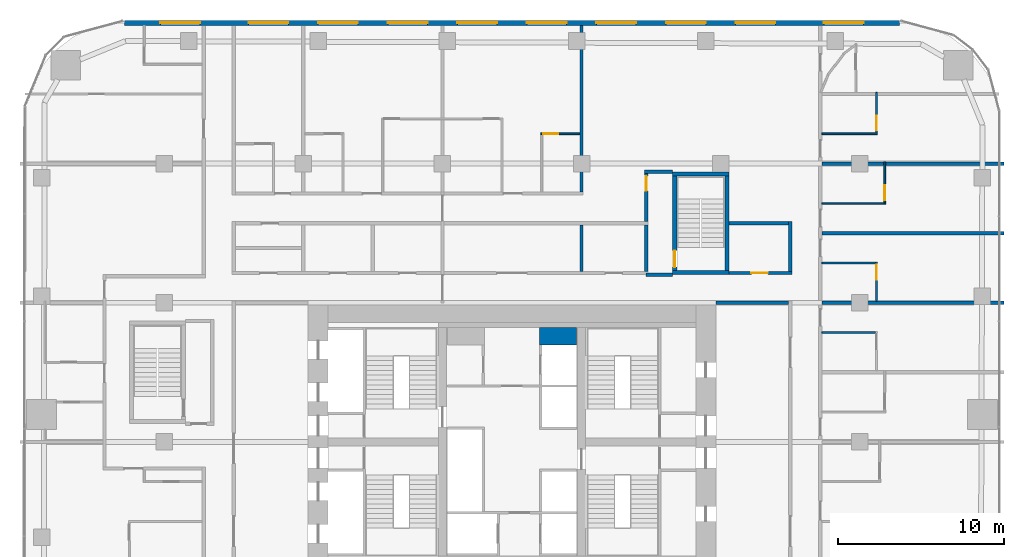
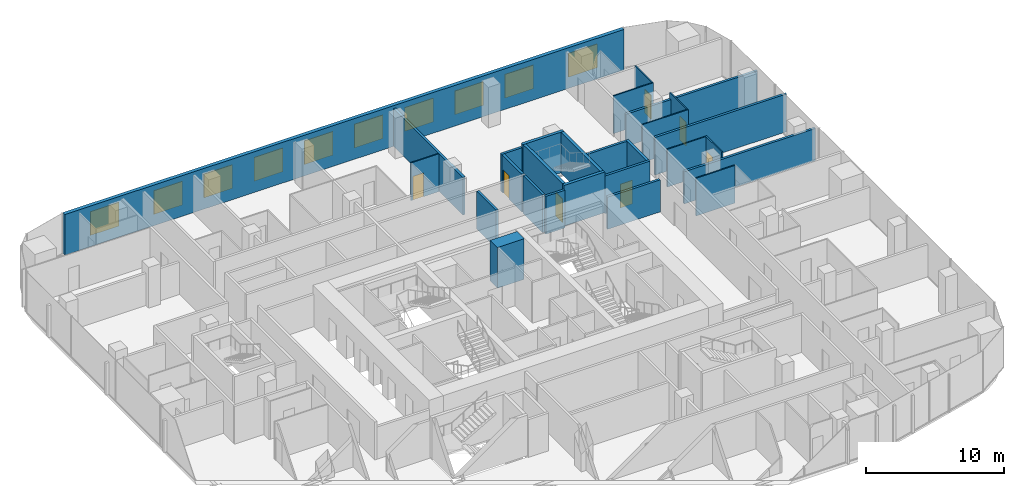
# One storey, part 22 of 25: 27 walls, 10 windows, 7 doors, 17 openings.
"""IFC4 building model written with IfcOpenShell, lengths in metres."""

from ifc_helpers import new_model, si_unit, direction, frame, frame_2d, origin, place, context, subcontext, project, spatial, rectangle, extrude, material, layer, layer_set, type_object, element, fill, save


model = new_model("IFC4")

# Units and contexts
model_context = context("Model", 3, precision=1e-05, world=origin(), true_north=direction((0.0, 1.0)))
body_context = subcontext(model_context, "Body", "Model", "MODEL_VIEW")
ifc_project = project(units=[si_unit("LENGTHUNIT", "METRE"), si_unit("AREAUNIT", "SQUARE_METRE"), si_unit("VOLUMEUNIT", "CUBIC_METRE"), si_unit("PLANEANGLEUNIT", "RADIAN"), si_unit("MASSUNIT", "GRAM", prefix="KILO")], contexts=[model_context])

# Site, building, storey
site_placement = place(None, origin())
site = spatial("IfcSite", under=ifc_project, at=site_placement, CompositionType="ELEMENT")
building_placement = place(site_placement, origin())
building = spatial("IfcBuilding", under=site, at=building_placement, Name="Marenta Gate Hotel Tower", CompositionType="ELEMENT")
storey_placement = place(building_placement, frame((0.0, 0.0, 50.89990234375)))
storey = spatial("IfcBuildingStorey", under=building, at=storey_placement, Name="L10", CompositionType="ELEMENT", Elevation=50.89990234375)

# Wall, openings, windows
ifc_material_1 = material(Name="Concrete C40 board-marked", Category="concrete")
ifc_layer_1 = layer(ifc_material_1, 0.300048828125)
ifc_layer_set_1 = layer_set([ifc_layer_1], Name="Concrete C40 board-marked")
wall_type_1 = type_object("IfcWallType", Name="Board-marked concrete wall 300 mm", PredefinedType="NOTDEFINED", material=ifc_layer_set_1)
wall_1_placement = place(storey_placement, frame((23.406005859375, 33.68994140625, 0.0), z_axis=(0.0, 0.0, 1.0), x_axis=(-1.0, 0.0, 0.0)))
wall_1 = element("IfcWall", 1, at=wall_1_placement, inside=storey, type_object=wall_type_1, Name="L10-CLD-N00", PredefinedType="NOTDEFINED", context=body_context, shape_type="SweptSolid", body=[
    extrude(rectangle(XDim=46.81201171875, YDim=0.300048828125, at=frame_2d((23.406005859375, 0.0))), origin(), (0.0, 0.0, 1.0), 3.60009765625),
])
opening_1_placement = place(wall_1_placement, frame((2.185791015625, 0.0, 0.89990234375)))
opening_1 = element("IfcOpeningElement", 2, at=opening_1_placement, cuts=wall_1, Name="Opening W1", PredefinedType="OPENING", context=body_context, shape_type="SweptSolid", body=[
    extrude(rectangle(XDim=2.39990234375, YDim=2.10009765625, at=frame_2d((1.199951171875, 1.050048828125))), frame((0.0, 0.14990234375, 0.0), z_axis=(0.0, -1.0, 0.0), x_axis=(1.0, 0.0, 0.0)), (0.0, 0.0, 1.0), 0.300048828125),
])
opening_2_placement = place(wall_1_placement, frame((7.505859375, 0.0, 0.89990234375)))
opening_2 = element("IfcOpeningElement", 3, at=opening_2_placement, cuts=wall_1, Name="Opening W1", PredefinedType="OPENING", context=body_context, shape_type="SweptSolid", body=[
    extrude(rectangle(XDim=2.39990234375, YDim=2.10009765625, at=frame_2d((1.199951171875, 1.050048828125))), frame((0.0, 0.14990234375, 0.0), z_axis=(0.0, -1.0, 0.0), x_axis=(1.0, 0.0, 0.0)), (0.0, 0.0, 1.0), 0.300048828125),
])
opening_3_placement = place(wall_1_placement, frame((11.705810546875, 0.0, 0.89990234375)))
opening_3 = element("IfcOpeningElement", 4, at=opening_3_placement, cuts=wall_1, Name="Opening W1", PredefinedType="OPENING", context=body_context, shape_type="SweptSolid", body=[
    extrude(rectangle(XDim=2.39990234375, YDim=2.10009765625, at=frame_2d((1.199951171875, 1.050048828125))), frame((0.0, 0.14990234375, 0.0), z_axis=(0.0, -1.0, 0.0), x_axis=(1.0, 0.0, 0.0)), (0.0, 0.0, 1.0), 0.300048828125),
])
opening_4_placement = place(wall_1_placement, frame((15.906005859375, 0.0, 0.89990234375)))
opening_4 = element("IfcOpeningElement", 5, at=opening_4_placement, cuts=wall_1, Name="Opening W1", PredefinedType="OPENING", context=body_context, shape_type="SweptSolid", body=[
    extrude(rectangle(XDim=2.39990234375, YDim=2.10009765625, at=frame_2d((1.199951171875, 1.050048828125))), frame((0.0, 0.14990234375, 0.0), z_axis=(0.0, -1.0, 0.0), x_axis=(1.0, 0.0, 0.0)), (0.0, 0.0, 1.0), 0.300048828125),
])
opening_5_placement = place(wall_1_placement, frame((20.10595703125, 0.0, 0.89990234375)))
opening_5 = element("IfcOpeningElement", 6, at=opening_5_placement, cuts=wall_1, Name="Opening W1", PredefinedType="OPENING", context=body_context, shape_type="SweptSolid", body=[
    extrude(rectangle(XDim=2.39990234375, YDim=2.10009765625, at=frame_2d((1.199951171875, 1.050048828125))), frame((0.0, 0.14990234375, 0.0), z_axis=(0.0, -1.0, 0.0), x_axis=(1.0, 0.0, 0.0)), (0.0, 0.0, 1.0), 0.300048828125),
])
opening_6_placement = place(wall_1_placement, frame((24.305908203125, 0.0, 0.89990234375)))
opening_6 = element("IfcOpeningElement", 7, at=opening_6_placement, cuts=wall_1, Name="Opening W1", PredefinedType="OPENING", context=body_context, shape_type="SweptSolid", body=[
    extrude(rectangle(XDim=2.39990234375, YDim=2.10009765625, at=frame_2d((1.199951171875, 1.050048828125))), frame((0.0, 0.14990234375, 0.0), z_axis=(0.0, -1.0, 0.0), x_axis=(1.0, 0.0, 0.0)), (0.0, 0.0, 1.0), 0.300048828125),
])
opening_7_placement = place(wall_1_placement, frame((28.505859375, 0.0, 0.89990234375)))
opening_7 = element("IfcOpeningElement", 8, at=opening_7_placement, cuts=wall_1, Name="Opening W1", PredefinedType="OPENING", context=body_context, shape_type="SweptSolid", body=[
    extrude(rectangle(XDim=2.39990234375, YDim=2.10009765625, at=frame_2d((1.199951171875, 1.050048828125))), frame((0.0, 0.14990234375, 0.0), z_axis=(0.0, -1.0, 0.0), x_axis=(1.0, 0.0, 0.0)), (0.0, 0.0, 1.0), 0.300048828125),
])
opening_8_placement = place(wall_1_placement, frame((32.705810546875, 0.0, 0.89990234375)))
opening_8 = element("IfcOpeningElement", 9, at=opening_8_placement, cuts=wall_1, Name="Opening W1", PredefinedType="OPENING", context=body_context, shape_type="SweptSolid", body=[
    extrude(rectangle(XDim=2.39990234375, YDim=2.10009765625, at=frame_2d((1.199951171875, 1.050048828125))), frame((0.0, 0.14990234375, 0.0), z_axis=(0.0, -1.0, 0.0), x_axis=(1.0, 0.0, 0.0)), (0.0, 0.0, 1.0), 0.300048828125),
])
opening_9_placement = place(wall_1_placement, frame((36.906005859375, 0.0, 0.89990234375)))
opening_9 = element("IfcOpeningElement", 10, at=opening_9_placement, cuts=wall_1, Name="Opening W1", PredefinedType="OPENING", context=body_context, shape_type="SweptSolid", body=[
    extrude(rectangle(XDim=2.39990234375, YDim=2.10009765625, at=frame_2d((1.199951171875, 1.050048828125))), frame((0.0, 0.14990234375, 0.0), z_axis=(0.0, -1.0, 0.0), x_axis=(1.0, 0.0, 0.0)), (0.0, 0.0, 1.0), 0.300048828125),
])
opening_10_placement = place(wall_1_placement, frame((42.225830078125, 0.0, 0.89990234375)))
opening_10 = element("IfcOpeningElement", 11, at=opening_10_placement, cuts=wall_1, Name="Opening W1", PredefinedType="OPENING", context=body_context, shape_type="SweptSolid", body=[
    extrude(rectangle(XDim=2.39990234375, YDim=2.10009765625, at=frame_2d((1.199951171875, 1.050048828125))), frame((0.0, 0.14990234375, 0.0), z_axis=(0.0, -1.0, 0.0), x_axis=(1.0, 0.0, 0.0)), (0.0, 0.0, 1.0), 0.300048828125),
])
ifc_material_2 = material(Name="Tinted insulated glass in bronze anodised frame", Category="glass")
window_type = type_object("IfcWindowType", Name="Window W1 2400x2100 bronze frame", PartitioningType="SINGLE_PANEL", PredefinedType="WINDOW", material=ifc_material_2)
window_1_placement = place(opening_1_placement, origin())
window_1 = element("IfcWindow", 12, at=window_1_placement, inside=storey, type_object=window_type, Name="Window W1", OverallHeight=2.10009765625, OverallWidth=2.39990234375, PartitioningType="SINGLE_PANEL", PredefinedType="WINDOW", context=body_context, shape_type="SweptSolid", body=[
    extrude(rectangle(XDim=2.39990234375, YDim=2.10009765625, at=frame_2d((1.199951171875, 1.050048828125))), frame((0.0, 0.030029296875, 0.0), z_axis=(0.0, -1.0, 0.0), x_axis=(1.0, 0.0, 0.0)), (0.0, 0.0, 1.0), 0.06005859375),
])
fill(opening_1, window_1)
window_2_placement = place(opening_2_placement, origin())
window_2 = element("IfcWindow", 13, at=window_2_placement, inside=storey, type_object=window_type, Name="Window W1", OverallHeight=2.10009765625, OverallWidth=2.39990234375, PartitioningType="SINGLE_PANEL", PredefinedType="WINDOW", context=body_context, shape_type="SweptSolid", body=[
    extrude(rectangle(XDim=2.39990234375, YDim=2.10009765625, at=frame_2d((1.199951171875, 1.050048828125))), frame((0.0, 0.030029296875, 0.0), z_axis=(0.0, -1.0, 0.0), x_axis=(1.0, 0.0, 0.0)), (0.0, 0.0, 1.0), 0.06005859375),
])
fill(opening_2, window_2)
window_3_placement = place(opening_3_placement, origin())
window_3 = element("IfcWindow", 14, at=window_3_placement, inside=storey, type_object=window_type, Name="Window W1", OverallHeight=2.10009765625, OverallWidth=2.39990234375, PartitioningType="SINGLE_PANEL", PredefinedType="WINDOW", context=body_context, shape_type="SweptSolid", body=[
    extrude(rectangle(XDim=2.39990234375, YDim=2.10009765625, at=frame_2d((1.199951171875, 1.050048828125))), frame((0.0, 0.030029296875, 0.0), z_axis=(0.0, -1.0, 0.0), x_axis=(1.0, 0.0, 0.0)), (0.0, 0.0, 1.0), 0.06005859375),
])
fill(opening_3, window_3)
window_4_placement = place(opening_4_placement, origin())
window_4 = element("IfcWindow", 15, at=window_4_placement, inside=storey, type_object=window_type, Name="Window W1", OverallHeight=2.10009765625, OverallWidth=2.39990234375, PartitioningType="SINGLE_PANEL", PredefinedType="WINDOW", context=body_context, shape_type="SweptSolid", body=[
    extrude(rectangle(XDim=2.39990234375, YDim=2.10009765625, at=frame_2d((1.199951171875, 1.050048828125))), frame((0.0, 0.030029296875, 0.0), z_axis=(0.0, -1.0, 0.0), x_axis=(1.0, 0.0, 0.0)), (0.0, 0.0, 1.0), 0.06005859375),
])
fill(opening_4, window_4)
window_5_placement = place(opening_5_placement, origin())
window_5 = element("IfcWindow", 16, at=window_5_placement, inside=storey, type_object=window_type, Name="Window W1", OverallHeight=2.10009765625, OverallWidth=2.39990234375, PartitioningType="SINGLE_PANEL", PredefinedType="WINDOW", context=body_context, shape_type="SweptSolid", body=[
    extrude(rectangle(XDim=2.39990234375, YDim=2.10009765625, at=frame_2d((1.199951171875, 1.050048828125))), frame((0.0, 0.030029296875, 0.0), z_axis=(0.0, -1.0, 0.0), x_axis=(1.0, 0.0, 0.0)), (0.0, 0.0, 1.0), 0.06005859375),
])
fill(opening_5, window_5)
window_6_placement = place(opening_6_placement, origin())
window_6 = element("IfcWindow", 17, at=window_6_placement, inside=storey, type_object=window_type, Name="Window W1", OverallHeight=2.10009765625, OverallWidth=2.39990234375, PartitioningType="SINGLE_PANEL", PredefinedType="WINDOW", context=body_context, shape_type="SweptSolid", body=[
    extrude(rectangle(XDim=2.39990234375, YDim=2.10009765625, at=frame_2d((1.199951171875, 1.050048828125))), frame((0.0, 0.030029296875, 0.0), z_axis=(0.0, -1.0, 0.0), x_axis=(1.0, 0.0, 0.0)), (0.0, 0.0, 1.0), 0.06005859375),
])
fill(opening_6, window_6)
window_7_placement = place(opening_7_placement, origin())
window_7 = element("IfcWindow", 18, at=window_7_placement, inside=storey, type_object=window_type, Name="Window W1", OverallHeight=2.10009765625, OverallWidth=2.39990234375, PartitioningType="SINGLE_PANEL", PredefinedType="WINDOW", context=body_context, shape_type="SweptSolid", body=[
    extrude(rectangle(XDim=2.39990234375, YDim=2.10009765625, at=frame_2d((1.199951171875, 1.050048828125))), frame((0.0, 0.030029296875, 0.0), z_axis=(0.0, -1.0, 0.0), x_axis=(1.0, 0.0, 0.0)), (0.0, 0.0, 1.0), 0.06005859375),
])
fill(opening_7, window_7)
window_8_placement = place(opening_8_placement, origin())
window_8 = element("IfcWindow", 19, at=window_8_placement, inside=storey, type_object=window_type, Name="Window W1", OverallHeight=2.10009765625, OverallWidth=2.39990234375, PartitioningType="SINGLE_PANEL", PredefinedType="WINDOW", context=body_context, shape_type="SweptSolid", body=[
    extrude(rectangle(XDim=2.39990234375, YDim=2.10009765625, at=frame_2d((1.199951171875, 1.050048828125))), frame((0.0, 0.030029296875, 0.0), z_axis=(0.0, -1.0, 0.0), x_axis=(1.0, 0.0, 0.0)), (0.0, 0.0, 1.0), 0.06005859375),
])
fill(opening_8, window_8)
window_9_placement = place(opening_9_placement, origin())
window_9 = element("IfcWindow", 20, at=window_9_placement, inside=storey, type_object=window_type, Name="Window W1", OverallHeight=2.10009765625, OverallWidth=2.39990234375, PartitioningType="SINGLE_PANEL", PredefinedType="WINDOW", context=body_context, shape_type="SweptSolid", body=[
    extrude(rectangle(XDim=2.39990234375, YDim=2.10009765625, at=frame_2d((1.199951171875, 1.050048828125))), frame((0.0, 0.030029296875, 0.0), z_axis=(0.0, -1.0, 0.0), x_axis=(1.0, 0.0, 0.0)), (0.0, 0.0, 1.0), 0.06005859375),
])
fill(opening_9, window_9)
window_10_placement = place(opening_10_placement, origin())
window_10 = element("IfcWindow", 21, at=window_10_placement, inside=storey, type_object=window_type, Name="Window W1", OverallHeight=2.10009765625, OverallWidth=2.39990234375, PartitioningType="SINGLE_PANEL", PredefinedType="WINDOW", context=body_context, shape_type="SweptSolid", body=[
    extrude(rectangle(XDim=2.39990234375, YDim=2.10009765625, at=frame_2d((1.199951171875, 1.050048828125))), frame((0.0, 0.030029296875, 0.0), z_axis=(0.0, -1.0, 0.0), x_axis=(1.0, 0.0, 0.0)), (0.0, 0.0, 1.0), 0.06005859375),
])
fill(opening_10, window_10)

# Walls
ifc_material_3 = material(Name="Concrete blockwork", Category="masonry")
ifc_layer_2 = layer(ifc_material_3, 0.199951171875)
ifc_layer_set_2 = layer_set([ifc_layer_2], Name="Concrete blockwork")
wall_type_2 = type_object("IfcWallType", Name="Core boundary wall 200 REI 180", PredefinedType="PARTITIONING", material=ifc_layer_set_2)
wall_2_placement = place(storey_placement, frame((12.300048828125, 16.800048828125, 0.0), z_axis=(0.0, 0.0, 1.0), x_axis=(1.0, 0.0, 0.0)))
element("IfcWall", 22, at=wall_2_placement, inside=storey, type_object=wall_type_2, Name="L10-CP-EW-EN", PredefinedType="PARTITIONING", context=body_context, shape_type="SweptSolid", body=[
    extrude(rectangle(XDim=4.39990234375, YDim=0.199951171875, at=frame_2d((2.199951171875, 0.0))), origin(), (0.0, 0.0, 1.0), 2.840087890625),
])
ifc_material_4 = material(Name="Concrete C40", Category="concrete")
ifc_layer_3 = layer(ifc_material_4, 1.050048828125)
ifc_layer_set_3 = layer_set([ifc_layer_3], Name="Concrete C40")
wall_type_3 = type_object("IfcWallType", Name="Core shaft wall 1050 REI 180", PredefinedType="SHEAR", material=ifc_layer_set_3)
wall_3_placement = place(storey_placement, frame((1.64990234375, 14.77490234375, 0.0), z_axis=(0.0, 0.0, 1.0), x_axis=(1.0, 0.0, 0.0)))
element("IfcWall", 23, at=wall_3_placement, inside=storey, type_object=wall_type_3, Name="L10-SHF-CE-N-top", PredefinedType="SHEAR", context=body_context, shape_type="SweptSolid", body=[
    extrude(rectangle(XDim=2.25, YDim=1.050048828125, at=frame_2d((1.125, 0.0))), origin(), (0.0, 0.0, 1.0), 3.60009765625),
])
ifc_material_5 = material(Name="Concrete C40", Category="concrete")
ifc_layer_4 = layer(ifc_material_5, 0.25)
ifc_layer_set_4 = layer_set([ifc_layer_4], Name="Concrete C40")
wall_type_4 = type_object("IfcWallType", Name="Remote stair enclosure wall 250 REI 180", PredefinedType="SHEAR", material=ifc_layer_set_4)
for number, where, z_axis, x_axis, name in (
    (24, (9.699951171875, 18.625, 0.10009765625), (0.0, 0.0, 1.0), (1.0, 0.0, 0.0), "L10-RS-Z1-4-W1"),
    (25, (9.699951171875, 24.574951171875, 0.10009765625), (0.0, 0.0, 1.0), (1.0, 0.0, 0.0), "L10-RS-Z1-4-W2"),
):
    element("IfcWall", number, at=place(storey_placement, frame(where, z_axis=z_axis, x_axis=x_axis)), inside=storey, type_object=wall_type_4, Name=name, PredefinedType="SHEAR", context=body_context, shape_type="SweptSolid", body=[
        extrude(rectangle(XDim=3.400146484375, YDim=0.25, at=frame_2d((1.7001953125, 0.0))), origin(), (0.0, 0.0, 1.0), 3.60009765625),
    ])

# Wall, opening, door
wall_4_placement = place(storey_placement, frame((9.824951171875, 18.75, 0.10009765625), z_axis=(0.0, 0.0, 1.0), x_axis=(0.0, 1.0, 0.0)))
wall_4 = element("IfcWall", 26, at=wall_4_placement, inside=storey, type_object=wall_type_4, Name="L10-RS-Z1-4-W3", PredefinedType="SHEAR", context=body_context, shape_type="SweptSolid", body=[
    extrude(rectangle(XDim=5.699951171875, YDim=0.25, at=frame_2d((2.85009765625, 0.0))), origin(), (0.0, 0.0, 1.0), 3.60009765625),
])
opening_11_placement = place(wall_4_placement, frame((0.199951171875, 0.0, 0.0)))
opening_11 = element("IfcOpeningElement", 27, at=opening_11_placement, cuts=wall_4, Name="Opening VD", PredefinedType="OPENING", context=body_context, shape_type="SweptSolid", body=[
    extrude(rectangle(XDim=1.0, YDim=2.10009765625, at=frame_2d((0.5, 1.050048828125))), frame((0.0, 0.125, 0.0), z_axis=(0.0, -1.0, 0.0), x_axis=(1.0, 0.0, 0.0)), (0.0, 0.0, 1.0), 0.25),
])
ifc_material_6 = material(Name="Steel", Category="steel")
door_type_1 = type_object("IfcDoorType", Name="Stair vestibule door 1000x2100 FD60", OperationType="SINGLE_SWING_LEFT", PredefinedType="DOOR", material=ifc_material_6)
door_1_placement = place(opening_11_placement, origin())
door_1 = element("IfcDoor", 28, at=door_1_placement, inside=storey, type_object=door_type_1, Name="VD", OperationType="SINGLE_SWING_LEFT", OverallHeight=2.10009765625, OverallWidth=1.0, PredefinedType="DOOR", context=body_context, shape_type="SweptSolid", body=[
    extrude(rectangle(XDim=1.0, YDim=2.10009765625, at=frame_2d((0.5, 1.050048828125))), frame((0.0, 0.02490234375, 0.0), z_axis=(0.0, -1.0, 0.0), x_axis=(1.0, 0.0, 0.0)), (0.0, 0.0, 1.0), 0.050048828125),
])
fill(opening_11, door_1)

# Walls
wall_5_placement = place(storey_placement, frame((12.97509765625, 18.75, 0.10009765625), z_axis=(0.0, 0.0, 1.0), x_axis=(0.0, 1.0, 0.0)))
element("IfcWall", 29, at=wall_5_placement, inside=storey, type_object=wall_type_4, Name="L10-RS-Z1-4-W4", PredefinedType="SHEAR", context=body_context, shape_type="SweptSolid", body=[
    extrude(rectangle(XDim=5.699951171875, YDim=0.25, at=frame_2d((2.85009765625, 0.0))), origin(), (0.0, 0.0, 1.0), 3.60009765625),
])
ifc_material_7 = material(Name="Gypsum board on steel stud", Category="steel")
ifc_layer_5 = layer(ifc_material_7, 0.199951171875)
ifc_layer_set_5 = layer_set([ifc_layer_5], Name="Gypsum board on steel stud")
wall_type_5 = type_object("IfcWallType", Name="Room corridor wall 200 EI 60", PredefinedType="PARTITIONING", material=ifc_layer_set_5)
wall_6_placement = place(storey_placement, frame((16.800048828125, 18.699951171875, 0.0), z_axis=(0.0, 0.0, 1.0), x_axis=(0.0, 1.0, 0.0)))
element("IfcWall", 30, at=wall_6_placement, inside=storey, type_object=wall_type_5, Name="L10-PTN-W014", PredefinedType="PARTITIONING", context=body_context, shape_type="SweptSolid", body=[
    extrude(rectangle(XDim=3.0, YDim=0.199951171875, at=frame_2d((1.5, 0.0))), origin(), (0.0, 0.0, 1.0), 3.340087890625),
])
wall_7_placement = place(storey_placement, frame((4.199951171875, 23.5, 0.0), z_axis=(0.0, 0.0, 1.0), x_axis=(0.0, 1.0, 0.0)))
element("IfcWall", 31, at=wall_7_placement, inside=storey, type_object=wall_type_5, Name="L10-PTN-W050", PredefinedType="PARTITIONING", context=body_context, shape_type="SweptSolid", body=[
    extrude(rectangle(XDim=10.0400390625, YDim=0.199951171875, at=frame_2d((5.02001953125, 0.0))), origin(), (0.0, 0.0, 1.0), 3.340087890625),
])

# Wall, opening, door
wall_8_placement = place(storey_placement, frame((13.10009765625, 18.60009765625, 0.0), z_axis=(0.0, 0.0, 1.0), x_axis=(1.0, 0.0, 0.0)))
wall_8 = element("IfcWall", 32, at=wall_8_placement, inside=storey, type_object=wall_type_5, Name="L10-PTN-W111", PredefinedType="PARTITIONING", context=body_context, shape_type="SweptSolid", body=[
    extrude(rectangle(XDim=3.7998046875, YDim=0.199951171875, at=frame_2d((1.89990234375, 0.0))), origin(), (0.0, 0.0, 1.0), 3.340087890625),
])
opening_12_placement = place(wall_8_placement, frame((1.35009765625, 0.0, 0.0)))
opening_12 = element("IfcOpeningElement", 33, at=opening_12_placement, cuts=wall_8, Name="Opening G03-03", PredefinedType="OPENING", context=body_context, shape_type="SweptSolid", body=[
    extrude(rectangle(XDim=1.0, YDim=2.10009765625, at=frame_2d((0.5, 1.050048828125))), frame((0.0, 0.10009765625, 0.0), z_axis=(0.0, -1.0, 0.0), x_axis=(1.0, 0.0, 0.0)), (0.0, 0.0, 1.0), 0.199951171875),
])
ifc_material_8 = material(Name="Timber door leaf", Category="wood")
door_type_2 = type_object("IfcDoorType", Name="Room amenity door 1000x2100 EI 30", OperationType="NOTDEFINED", PredefinedType="DOOR", material=ifc_material_8)
door_2_placement = place(opening_12_placement, origin())
door_2 = element("IfcDoor", 34, at=door_2_placement, inside=storey, type_object=door_type_2, Name="L10-PD-D003", OperationType="SINGLE_SWING_LEFT", OverallHeight=2.10009765625, OverallWidth=1.0, PredefinedType="DOOR", context=body_context, shape_type="SweptSolid", body=[
    extrude(rectangle(XDim=1.0, YDim=2.10009765625, at=frame_2d((0.5, 1.050048828125))), frame((0.0, 0.02490234375, 0.0), z_axis=(0.0, -1.0, 0.0), x_axis=(1.0, 0.0, 0.0)), (0.0, 0.0, 1.0), 0.050048828125),
])
fill(opening_12, door_2)

# Wall
wall_9_placement = place(storey_placement, frame((13.10009765625, 21.60009765625, 0.0), z_axis=(0.0, 0.0, 1.0), x_axis=(1.0, 0.0, 0.0)))
element("IfcWall", 35, at=wall_9_placement, inside=storey, type_object=wall_type_5, Name="L10-PTN-W116", PredefinedType="PARTITIONING", context=body_context, shape_type="SweptSolid", body=[
    extrude(rectangle(XDim=3.599853515625, YDim=0.199951171875, at=frame_2d((1.7998046875, 0.0))), origin(), (0.0, 0.0, 1.0), 3.340087890625),
])

# Wall, opening, door
ifc_material_9 = material(Name="Concrete blockwork", Category="masonry")
ifc_layer_6 = layer(ifc_material_9, 0.199951171875)
ifc_layer_set_6 = layer_set([ifc_layer_6], Name="Concrete blockwork")
wall_type_6 = type_object("IfcWallType", Name="Room corridor wall 200 REI 180", PredefinedType="PARTITIONING", material=ifc_layer_set_6)
wall_10_placement = place(storey_placement, frame((8.10009765625, 21.699951171875, 0.0), z_axis=(0.0, 0.0, 1.0), x_axis=(0.0, 1.0, 0.0)))
wall_10 = element("IfcWall", 36, at=wall_10_placement, inside=storey, type_object=wall_type_6, Name="L10-PTN-W038", PredefinedType="PARTITIONING", context=body_context, shape_type="SweptSolid", body=[
    extrude(rectangle(XDim=2.900146484375, YDim=0.199951171875, at=frame_2d((1.4501953125, 0.0))), origin(), (0.0, 0.0, 1.0), 3.340087890625),
])
opening_13_placement = place(wall_10_placement, frame((1.85009765625, 0.0, 0.0)))
opening_13 = element("IfcOpeningElement", 37, at=opening_13_placement, cuts=wall_10, Name="Opening G03-61", PredefinedType="OPENING", context=body_context, shape_type="SweptSolid", body=[
    extrude(rectangle(XDim=0.89990234375, YDim=2.10009765625, at=frame_2d((0.449951171875, 1.050048828125))), frame((0.0, 0.10009765625, 0.0), z_axis=(0.0, -1.0, 0.0), x_axis=(1.0, 0.0, 0.0)), (0.0, 0.0, 1.0), 0.199951171875),
])
ifc_material_10 = material(Name="Hollow steel door set", Category="steel")
door_type_3 = type_object("IfcDoorType", Name="Stair vestibule door 900x2100 EI 60", OperationType="NOTDEFINED", PredefinedType="DOOR", material=ifc_material_10)
door_3_placement = place(opening_13_placement, origin())
door_3 = element("IfcDoor", 38, at=door_3_placement, inside=storey, type_object=door_type_3, Name="L10-PD-D061", OperationType="SINGLE_SWING_LEFT", OverallHeight=2.10009765625, OverallWidth=0.89990234375, PredefinedType="DOOR", context=body_context, shape_type="SweptSolid", body=[
    extrude(rectangle(XDim=0.89990234375, YDim=2.10009765625, at=frame_2d((0.449951171875, 1.050048828125))), frame((0.0, 0.02490234375, 0.0), z_axis=(0.0, -1.0, 0.0), x_axis=(1.0, 0.0, 0.0)), (0.0, 0.0, 1.0), 0.050048828125),
])
fill(opening_13, door_3)

# Walls
wall_11_placement = place(storey_placement, frame((8.10009765625, 18.5, 0.0), z_axis=(0.0, 0.0, 1.0), x_axis=(1.0, 0.0, 0.0)))
element("IfcWall", 39, at=wall_11_placement, inside=storey, type_object=wall_type_6, Name="L10-PTN-W107", PredefinedType="PARTITIONING", context=body_context, shape_type="SweptSolid", body=[
    extrude(rectangle(XDim=1.599853515625, YDim=0.199951171875, at=frame_2d((0.7998046875, 0.0))), origin(), (0.0, 0.0, 1.0), 3.340087890625),
])
wall_12_placement = place(storey_placement, frame((8.0, 24.699951171875, 0.0), z_axis=(0.0, 0.0, 1.0), x_axis=(1.0, 0.0, 0.0)))
element("IfcWall", 40, at=wall_12_placement, inside=storey, type_object=wall_type_6, Name="L10-PTN-W124", PredefinedType="PARTITIONING", context=body_context, shape_type="SweptSolid", body=[
    extrude(rectangle(XDim=1.699951171875, YDim=0.199951171875, at=frame_2d((0.85009765625, 0.0))), origin(), (0.0, 0.0, 1.0), 3.340087890625),
])

# Wall, opening, door
ifc_material_11 = material(Name="Gypsum board on steel stud", Category="steel")
ifc_layer_7 = layer(ifc_material_11, 0.10009765625)
ifc_layer_set_7 = layer_set([ifc_layer_7], Name="Gypsum board on steel stud")
wall_type_7 = type_object("IfcWallType", Name="Room partition 100", PredefinedType="PARTITIONING", material=ifc_layer_set_7)
wall_13_placement = place(storey_placement, frame((22.5, 22.85009765625, 0.0), z_axis=(0.0, 0.0, 1.0), x_axis=(0.0, 1.0, 0.0)))
wall_13 = element("IfcWall", 41, at=wall_13_placement, inside=storey, type_object=wall_type_7, Name="L10-PTN-W003", PredefinedType="PARTITIONING", context=body_context, shape_type="SweptSolid", body=[
    extrude(rectangle(XDim=2.449951171875, YDim=0.10009765625, at=frame_2d((1.22509765625, 0.0))), origin(), (0.0, 0.0, 1.0), 3.340087890625),
])
opening_14_placement = place(wall_13_placement, frame((0.14990234375, 0.0, 0.0)))
opening_14 = element("IfcOpeningElement", 42, at=opening_14_placement, cuts=wall_13, Name="Opening G03-23", PredefinedType="OPENING", context=body_context, shape_type="SweptSolid", body=[
    extrude(rectangle(XDim=0.89990234375, YDim=2.10009765625, at=frame_2d((0.449951171875, 1.050048828125))), frame((0.0, 0.050048828125, 0.0), z_axis=(0.0, -1.0, 0.0), x_axis=(1.0, 0.0, 0.0)), (0.0, 0.0, 1.0), 0.10009765625),
])
ifc_material_12 = material(Name="Timber door leaf", Category="wood")
door_type_4 = type_object("IfcDoorType", Name="Guest bathroom door 900x2100", OperationType="NOTDEFINED", PredefinedType="DOOR", material=ifc_material_12)
door_4_placement = place(opening_14_placement, origin())
door_4 = element("IfcDoor", 43, at=door_4_placement, inside=storey, type_object=door_type_4, Name="L10-PD-D023", OperationType="SINGLE_SWING_LEFT", OverallHeight=2.10009765625, OverallWidth=0.89990234375, PredefinedType="DOOR", context=body_context, shape_type="SweptSolid", body=[
    extrude(rectangle(XDim=0.89990234375, YDim=2.10009765625, at=frame_2d((0.449951171875, 1.050048828125))), frame((0.0, 0.02490234375, 0.0), z_axis=(0.0, -1.0, 0.0), x_axis=(1.0, 0.0, 0.0)), (0.0, 0.0, 1.0), 0.050048828125),
])
fill(opening_14, door_4)

wall_14_placement = place(storey_placement, frame((22.0, 16.89990234375, 0.0), z_axis=(0.0, 0.0, 1.0), x_axis=(0.0, 1.0, 0.0)))
wall_14 = element("IfcWall", 44, at=wall_14_placement, inside=storey, type_object=wall_type_7, Name="L10-PTN-W008", PredefinedType="PARTITIONING", context=body_context, shape_type="SweptSolid", body=[
    extrude(rectangle(XDim=2.35009765625, YDim=0.10009765625, at=frame_2d((1.175048828125, 0.0))), origin(), (0.0, 0.0, 1.0), 3.340087890625),
])
opening_15_placement = place(wall_14_placement, frame((1.300048828125, 0.0, 0.0)))
opening_15 = element("IfcOpeningElement", 45, at=opening_15_placement, cuts=wall_14, Name="Opening G03-21", PredefinedType="OPENING", context=body_context, shape_type="SweptSolid", body=[
    extrude(rectangle(XDim=0.89990234375, YDim=2.10009765625, at=frame_2d((0.449951171875, 1.050048828125))), frame((0.0, 0.050048828125, 0.0), z_axis=(0.0, -1.0, 0.0), x_axis=(1.0, 0.0, 0.0)), (0.0, 0.0, 1.0), 0.10009765625),
])
door_5_placement = place(opening_15_placement, origin())
door_5 = element("IfcDoor", 46, at=door_5_placement, inside=storey, type_object=door_type_4, Name="L10-PD-D021", OperationType="SINGLE_SWING_RIGHT", OverallHeight=2.10009765625, OverallWidth=0.89990234375, PredefinedType="DOOR", context=body_context, shape_type="SweptSolid", body=[
    extrude(rectangle(XDim=0.89990234375, YDim=2.10009765625, at=frame_2d((0.449951171875, 1.050048828125))), frame((0.0, 0.02490234375, 0.0), z_axis=(0.0, -1.0, 0.0), x_axis=(1.0, 0.0, 0.0)), (0.0, 0.0, 1.0), 0.050048828125),
])
fill(opening_15, door_5)

wall_15_placement = place(storey_placement, frame((22.0, 27.050048828125, 0.0), z_axis=(0.0, 0.0, 1.0), x_axis=(0.0, 1.0, 0.0)))
wall_15 = element("IfcWall", 47, at=wall_15_placement, inside=storey, type_object=wall_type_7, Name="L10-PTN-W009", PredefinedType="PARTITIONING", context=body_context, shape_type="SweptSolid", body=[
    extrude(rectangle(XDim=2.449951171875, YDim=0.10009765625, at=frame_2d((1.22509765625, 0.0))), origin(), (0.0, 0.0, 1.0), 3.340087890625),
])
opening_16_placement = place(wall_15_placement, frame((0.14990234375, 0.0, 0.0)))
opening_16 = element("IfcOpeningElement", 48, at=opening_16_placement, cuts=wall_15, Name="Opening G03-25", PredefinedType="OPENING", context=body_context, shape_type="SweptSolid", body=[
    extrude(rectangle(XDim=0.89990234375, YDim=2.10009765625, at=frame_2d((0.449951171875, 1.050048828125))), frame((0.0, 0.050048828125, 0.0), z_axis=(0.0, -1.0, 0.0), x_axis=(1.0, 0.0, 0.0)), (0.0, 0.0, 1.0), 0.10009765625),
])
door_6_placement = place(opening_16_placement, origin())
door_6 = element("IfcDoor", 49, at=door_6_placement, inside=storey, type_object=door_type_4, Name="L10-PD-D025", OperationType="SINGLE_SWING_LEFT", OverallHeight=2.10009765625, OverallWidth=0.89990234375, PredefinedType="DOOR", context=body_context, shape_type="SweptSolid", body=[
    extrude(rectangle(XDim=0.89990234375, YDim=2.10009765625, at=frame_2d((0.449951171875, 1.050048828125))), frame((0.0, 0.02490234375, 0.0), z_axis=(0.0, -1.0, 0.0), x_axis=(1.0, 0.0, 0.0)), (0.0, 0.0, 1.0), 0.050048828125),
])
fill(opening_16, door_6)

# Walls
for number, where, z_axis, x_axis, name in (
    (50, (18.699951171875, 15.0, 0.0), (0.0, 0.0, 1.0), (1.0, 0.0, 0.0), "L10-PTN-W095"),
    (51, (18.699951171875, 19.199951171875, 0.0), (0.0, 0.0, 1.0), (1.0, 0.0, 0.0), "L10-PTN-W112"),
):
    element("IfcWall", number, at=place(storey_placement, frame(where, z_axis=z_axis, x_axis=x_axis)), inside=storey, type_object=wall_type_7, Name=name, PredefinedType="PARTITIONING", context=body_context, shape_type="SweptSolid", body=[
        extrude(rectangle(XDim=3.25, YDim=0.10009765625, at=frame_2d((1.625, 0.0))), origin(), (0.0, 0.0, 1.0), 3.340087890625),
    ])
wall_16_placement = place(storey_placement, frame((18.699951171875, 22.800048828125, 0.0), z_axis=(0.0, 0.0, 1.0), x_axis=(1.0, 0.0, 0.0)))
element("IfcWall", 52, at=wall_16_placement, inside=storey, type_object=wall_type_7, Name="L10-PTN-W120", PredefinedType="PARTITIONING", context=body_context, shape_type="SweptSolid", body=[
    extrude(rectangle(XDim=3.85009765625, YDim=0.10009765625, at=frame_2d((1.925048828125, 0.0))), origin(), (0.0, 0.0, 1.0), 3.340087890625),
])

# Wall, opening, door
wall_17_placement = place(storey_placement, frame((1.75, 27.0, 0.0), z_axis=(0.0, 0.0, 1.0), x_axis=(1.0, 0.0, 0.0)))
wall_17 = element("IfcWall", 53, at=wall_17_placement, inside=storey, type_object=wall_type_7, Name="L10-PTN-W129", PredefinedType="PARTITIONING", context=body_context, shape_type="SweptSolid", body=[
    extrude(rectangle(XDim=2.35009765625, YDim=0.10009765625, at=frame_2d((1.175048828125, 0.0))), origin(), (0.0, 0.0, 1.0), 3.340087890625),
])
opening_17_placement = place(wall_17_placement, frame((0.14990234375, 0.0, 0.0)))
opening_17 = element("IfcOpeningElement", 54, at=opening_17_placement, cuts=wall_17, Name="Opening G03-35", PredefinedType="OPENING", context=body_context, shape_type="SweptSolid", body=[
    extrude(rectangle(XDim=0.89990234375, YDim=2.10009765625, at=frame_2d((0.449951171875, 1.050048828125))), frame((0.0, 0.050048828125, 0.0), z_axis=(0.0, -1.0, 0.0), x_axis=(1.0, 0.0, 0.0)), (0.0, 0.0, 1.0), 0.10009765625),
])
ifc_material_13 = material(Name="Timber door leaf", Category="wood")
door_type_5 = type_object("IfcDoorType", Name="Room inner door 900x2100", OperationType="NOTDEFINED", PredefinedType="DOOR", material=ifc_material_13)
door_7_placement = place(opening_17_placement, origin())
door_7 = element("IfcDoor", 55, at=door_7_placement, inside=storey, type_object=door_type_5, Name="L10-PD-D035", OperationType="SINGLE_SWING_RIGHT", OverallHeight=2.10009765625, OverallWidth=0.89990234375, PredefinedType="DOOR", context=body_context, shape_type="SweptSolid", body=[
    extrude(rectangle(XDim=0.89990234375, YDim=2.10009765625, at=frame_2d((0.449951171875, 1.050048828125))), frame((0.0, 0.02490234375, 0.0), z_axis=(0.0, -1.0, 0.0), x_axis=(1.0, 0.0, 0.0)), (0.0, 0.0, 1.0), 0.050048828125),
])
fill(opening_17, door_7)

# Walls
wall_18_placement = place(storey_placement, frame((18.699951171875, 27.0, 0.0), z_axis=(0.0, 0.0, 1.0), x_axis=(1.0, 0.0, 0.0)))
element("IfcWall", 56, at=wall_18_placement, inside=storey, type_object=wall_type_7, Name="L10-PTN-W130", PredefinedType="PARTITIONING", context=body_context, shape_type="SweptSolid", body=[
    extrude(rectangle(XDim=3.35009765625, YDim=0.10009765625, at=frame_2d((1.675048828125, 0.0))), origin(), (0.0, 0.0, 1.0), 3.340087890625),
])
ifc_material_14 = material(Name="Gypsum board on steel stud", Category="steel")
ifc_layer_8 = layer(ifc_material_14, 0.199951171875)
ifc_layer_set_8 = layer_set([ifc_layer_8], Name="Gypsum board on steel stud")
wall_type_8 = type_object("IfcWallType", Name="Room party wall 200 EI 60", PredefinedType="PARTITIONING", material=ifc_layer_set_8)
wall_19_placement = place(storey_placement, frame((4.199951171875, 18.699951171875, 0.0), z_axis=(0.0, 0.0, 1.0), x_axis=(0.0, 1.0, 0.0)))
element("IfcWall", 57, at=wall_19_placement, inside=storey, type_object=wall_type_8, Name="L10-PTN-W049", PredefinedType="PARTITIONING", context=body_context, shape_type="SweptSolid", body=[
    extrude(rectangle(XDim=2.800048828125, YDim=0.199951171875, at=frame_2d((1.39990234375, 0.0))), origin(), (0.0, 0.0, 1.0), 3.340087890625),
])
wall_20_placement = place(storey_placement, frame((18.699951171875, 16.800048828125, 0.0), z_axis=(0.0, 0.0, 1.0), x_axis=(1.0, 0.0, 0.0)))
element("IfcWall", 58, at=wall_20_placement, inside=storey, type_object=wall_type_8, Name="L10-PTN-W104", PredefinedType="PARTITIONING", context=body_context, shape_type="SweptSolid", body=[
    extrude(rectangle(XDim=11.0, YDim=0.199951171875, at=frame_2d((5.5, 0.0))), origin(), (0.0, 0.0, 1.0), 2.840087890625),
])
wall_21_placement = place(storey_placement, frame((18.699951171875, 21.0, 0.0), z_axis=(0.0, 0.0, 1.0), x_axis=(1.0, 0.0, 0.0)))
element("IfcWall", 59, at=wall_21_placement, inside=storey, type_object=wall_type_8, Name="L10-PTN-W114", PredefinedType="PARTITIONING", context=body_context, shape_type="SweptSolid", body=[
    extrude(rectangle(XDim=11.0, YDim=0.199951171875, at=frame_2d((5.5, 0.0))), origin(), (0.0, 0.0, 1.0), 3.340087890625),
])
wall_22_placement = place(storey_placement, frame((18.699951171875, 25.199951171875, 0.0), z_axis=(0.0, 0.0, 1.0), x_axis=(1.0, 0.0, 0.0)))
element("IfcWall", 60, at=wall_22_placement, inside=storey, type_object=wall_type_8, Name="L10-PTN-W126", PredefinedType="PARTITIONING", context=body_context, shape_type="SweptSolid", body=[
    extrude(rectangle(XDim=11.0, YDim=0.199951171875, at=frame_2d((5.5, 0.0))), origin(), (0.0, 0.0, 1.0), 2.840087890625),
])
ifc_material_15 = material(Name="Concrete blockwork", Category="masonry")
ifc_layer_9 = layer(ifc_material_15, 0.199951171875)
ifc_layer_set_9 = layer_set([ifc_layer_9], Name="Concrete blockwork")
wall_type_9 = type_object("IfcWallType", Name="Room party wall 200 REI 180", PredefinedType="PARTITIONING", material=ifc_layer_set_9)
wall_23_placement = place(storey_placement, frame((8.10009765625, 18.699951171875, 0.0), z_axis=(0.0, 0.0, 1.0), x_axis=(0.0, 1.0, 0.0)))
element("IfcWall", 61, at=wall_23_placement, inside=storey, type_object=wall_type_9, Name="L10-PTN-W037", PredefinedType="PARTITIONING", context=body_context, shape_type="SweptSolid", body=[
    extrude(rectangle(XDim=2.800048828125, YDim=0.199951171875, at=frame_2d((1.39990234375, 0.0))), origin(), (0.0, 0.0, 1.0), 3.340087890625),
])

save(model, "model.ifc")
